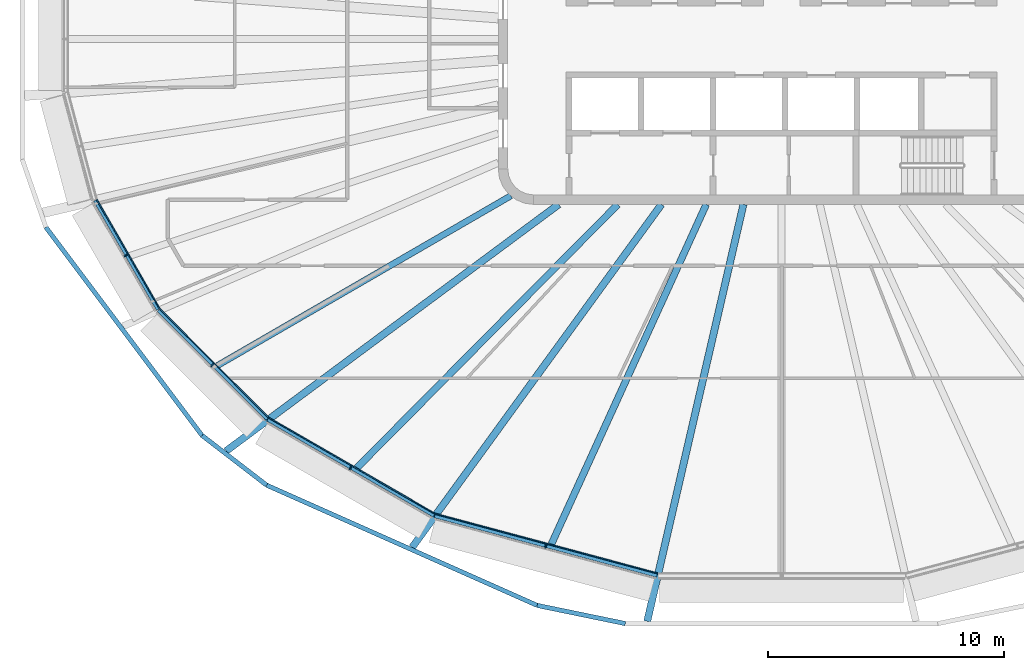
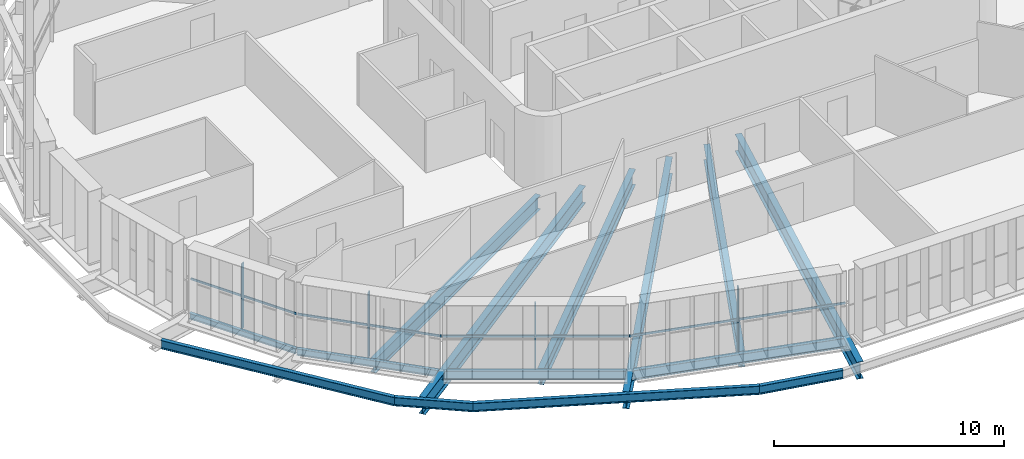
# One storey, part 1 of 20: 14 beams, 8 members, 4 elements without a shape of their own.
"""IFC4 building model written with IfcOpenShell, lengths in metres."""

from ifc_helpers import new_model, si_unit, direction, frame, origin, origin_2d, place, context, subcontext, project, spatial, rectangle, i_section, extrude, material, layer, layer_set, material_profile, profile_set, type_object, element, aggregate, save


model = new_model("IFC4")

# Units and contexts
model_context = context("Model", 3, precision=1e-05, world=origin(), true_north=direction((0.0, 1.0)))
body_context = subcontext(model_context, "Body", "Model", "MODEL_VIEW")
ifc_project = project(units=[si_unit("LENGTHUNIT", "METRE"), si_unit("AREAUNIT", "SQUARE_METRE"), si_unit("VOLUMEUNIT", "CUBIC_METRE"), si_unit("PLANEANGLEUNIT", "RADIAN"), si_unit("MASSUNIT", "GRAM", prefix="KILO")], contexts=[model_context])

# Site, building, storey
site_placement = place(None, origin())
site = spatial("IfcSite", under=ifc_project, at=site_placement, CompositionType="ELEMENT")
building_placement = place(site_placement, origin())
building = spatial("IfcBuilding", under=site, at=building_placement, Name="Sahrelin Media Tower", CompositionType="ELEMENT")
storey_placement = place(building_placement, frame((0.0, 0.0, 237.60009765625)))
storey = spatial("IfcBuildingStorey", under=building, at=storey_placement, Name="L51", CompositionType="ELEMENT", Elevation=237.60009765625)

# Beams
ifc_material_1 = material(Name="Steel S355", Category="steel")
ifc_material_profile_1 = material_profile(ifc_material_1, i_section(OverallWidth=0.1650390625, OverallDepth=0.303466796875, WebThickness=0.006103515625, FlangeThickness=0.01025390625, FilletRadius=0.0087890625, at=origin_2d()), Name="UB 305x165x40")
ifc_profile_set_1 = profile_set([ifc_material_profile_1], Name="Steel S355")
beam_type_1 = type_object("IfcBeamType", Name="Edge beam EB2", PredefinedType="BEAM", material=ifc_profile_set_1)
beam_1_placement = place(storey_placement, frame((-26.399169921875, -11.453369140625, -0.3017578125), z_axis=(-0.500034814518, 0.86600530268, 0.0), x_axis=(-0.86600530268, -0.500034814518, 0.0)))
element("IfcBeam", 1, at=beam_1_placement, inside=storey, type_object=beam_type_1, Name="Edge beam L51-11", PredefinedType="BEAM", context=body_context, shape_type="SweptSolid", body=[
    extrude(i_section(OverallWidth=0.1650390625, OverallDepth=0.303466796875, WebThickness=0.006103515625, FlangeThickness=0.01025390625, FilletRadius=0.0087890625, at=origin_2d()), origin(), (0.0, 0.0, 1.0), 5.3447265625),
])
ifc_material_profile_2 = material_profile(ifc_material_1, i_section(OverallWidth=0.17138671875, OverallDepth=0.35498046875, WebThickness=0.00732421875, FlangeThickness=0.011474609375, FilletRadius=0.01025390625, at=origin_2d()), Name="UB 356x171x51")
ifc_profile_set_2 = profile_set([ifc_material_profile_2], Name="Steel S355")
beam_type_2 = type_object("IfcBeamType", Name="Edge beam EB3", PredefinedType="BEAM", material=ifc_profile_set_2)
beam_2_placement = place(storey_placement, frame((-21.779296875, -16.07861328125, -0.32763671875), z_axis=(-0.707106781187, 0.707106781187, 0.0), x_axis=(-0.707106781187, -0.707106781187, 0.0)))
element("IfcBeam", 2, at=beam_2_placement, inside=storey, type_object=beam_type_2, Name="Edge beam L51-10", PredefinedType="BEAM", context=body_context, shape_type="SweptSolid", body=[
    extrude(i_section(OverallWidth=0.17138671875, OverallDepth=0.35498046875, WebThickness=0.00732421875, FlangeThickness=0.011474609375, FilletRadius=0.01025390625, at=origin_2d()), origin(), (0.0, 0.0, 1.0), 6.508544921875),
])
ifc_material_profile_3 = material_profile(ifc_material_1, i_section(OverallWidth=0.1904296875, OverallDepth=0.45703125, WebThickness=0.009033203125, FlangeThickness=0.014404296875, FilletRadius=0.01025390625, at=origin_2d()), Name="UB 457x191x74")
ifc_profile_set_3 = profile_set([ifc_material_profile_3], Name="Steel S355")
beam_type_3 = type_object("IfcBeamType", Name="Edge beam EB5", PredefinedType="BEAM", material=ifc_profile_set_3)
beam_3_placement = place(storey_placement, frame((-14.716796875, -20.160400390625, -0.378662109375), z_axis=(-0.866024038412, 0.500002364886, 0.0), x_axis=(-0.500002364886, -0.866024038412, 0.0)))
element("IfcBeam", 3, at=beam_3_placement, inside=storey, type_object=beam_type_3, Name="Edge beam L51-09", PredefinedType="BEAM", context=body_context, shape_type="SweptSolid", body=[
    extrude(i_section(OverallWidth=0.1904296875, OverallDepth=0.45703125, WebThickness=0.009033203125, FlangeThickness=0.014404296875, FilletRadius=0.01025390625, at=origin_2d()), origin(), (0.0, 0.0, 1.0), 8.12890625),
])
ifc_material_profile_4 = material_profile(ifc_material_1, i_section(OverallWidth=0.208740234375, OverallDepth=0.5283203125, WebThickness=0.009521484375, FlangeThickness=0.01318359375, FilletRadius=0.0126953125, at=origin_2d()), Name="UB 533x210x82")
ifc_profile_set_4 = profile_set([ifc_material_profile_4], Name="Steel S355")
beam_type_4 = type_object("IfcBeamType", Name="Edge beam EB6", PredefinedType="BEAM", material=ifc_profile_set_4)
beam_4_placement = place(storey_placement, frame((-5.267578125, -22.6962890625, -0.414306640625), z_axis=(-0.965922692081, 0.258830741845, 0.0), x_axis=(-0.258830741845, -0.965922692081, 0.0)))
element("IfcBeam", 4, at=beam_4_placement, inside=storey, type_object=beam_type_4, Name="Edge beam L51-08", PredefinedType="BEAM", context=body_context, shape_type="SweptSolid", body=[
    extrude(i_section(OverallWidth=0.208740234375, OverallDepth=0.5283203125, WebThickness=0.009521484375, FlangeThickness=0.01318359375, FilletRadius=0.0126953125, at=origin_2d()), origin(), (0.0, 0.0, 1.0), 9.755126953125),
])

# Curtain wall, member
ifc_material_2 = material(Name="Champagne anodised aluminium 6063-T6", Category="aluminium")
ifc_layer = layer(ifc_material_2, 0.14990234375)
ifc_layer_set = layer_set([ifc_layer], Name="Tower ribbon curtain wall")
curtain_wall_type = type_object("IfcCurtainWallType", Name="Tower ribbon curtain wall", PredefinedType="NOTDEFINED", material=ifc_layer_set)
curtain_wall_1_placement = place(storey_placement, frame((-27.865234375, -9.214111328125, 0.0), z_axis=(0.0, 0.0, 1.0), x_axis=(1.0, 0.0, 0.0)))
curtain_wall_1 = element("IfcCurtainWall", 5, at=curtain_wall_1_placement, inside=storey, type_object=curtain_wall_type, Name="L51:CW:L51-14", PredefinedType="NOTDEFINED")
ifc_material_profile_5 = material_profile(ifc_material_2, rectangle(XDim=0.06005859375, YDim=0.175048828125, at=origin_2d()), Name="Mullion 60x175")
ifc_profile_set_5 = profile_set([ifc_material_profile_5], Name="Champagne anodised aluminium 6063-T6")
member_type_1 = type_object("IfcMemberType", Name="Mullion 60x175 CW1B", PredefinedType="MULLION", material=ifc_profile_set_5)
member_1_placement = place(storey_placement, frame((-27.772216796875, -9.16015625, 0.0), z_axis=(0.0, 0.0, 1.0), x_axis=(0.500009068969, -0.866020167749, 0.0)))
member_1 = element("IfcMember", 6, at=member_1_placement, type_object=member_type_1, Name="L51:CWM:L51-14", PredefinedType="MULLION", context=body_context, shape_type="SweptSolid", body=[
    extrude(rectangle(XDim=0.06005859375, YDim=0.175048828125, at=origin_2d()), origin(), (0.0, 0.0, 1.0), 3.448486328125),
])

curtain_wall_2_placement = place(storey_placement, frame((-24.1865234375, -13.88330078125, 0.0), z_axis=(0.0, 0.0, 1.0), x_axis=(1.0, 0.0, 0.0)))
curtain_wall_2 = element("IfcCurtainWall", 7, at=curtain_wall_2_placement, inside=storey, type_object=curtain_wall_type, Name="L51:CW:L51-15", PredefinedType="NOTDEFINED")
member_2_placement = place(storey_placement, frame((-24.110595703125, -13.807373046875, 0.0), z_axis=(0.0, 0.0, 1.0), x_axis=(0.707106781187, -0.707106781187, 0.0)))
member_2 = element("IfcMember", 8, at=member_2_placement, type_object=member_type_1, Name="L51:CWM:L51-15", PredefinedType="MULLION", context=body_context, shape_type="SweptSolid", body=[
    extrude(rectangle(XDim=0.06005859375, YDim=0.175048828125, at=origin_2d()), origin(), (0.0, 0.0, 1.0), 3.448486328125),
])

curtain_wall_3_placement = place(storey_placement, frame((-18.3115234375, -18.25830078125, 0.0), z_axis=(0.0, 0.0, 1.0), x_axis=(1.0, 0.0, 0.0)))
curtain_wall_3 = element("IfcCurtainWall", 9, at=curtain_wall_3_placement, inside=storey, type_object=curtain_wall_type, Name="L51:CW:L51-16", PredefinedType="NOTDEFINED")
member_3_placement = place(storey_placement, frame((-18.2578125, -18.1650390625, 0.0), z_axis=(0.0, 0.0, 1.0), x_axis=(0.866027149108, -0.499996976998, 0.0)))
member_3 = element("IfcMember", 10, at=member_3_placement, type_object=member_type_1, Name="L51:CWM:L51-16", PredefinedType="MULLION", context=body_context, shape_type="SweptSolid", body=[
    extrude(rectangle(XDim=0.06005859375, YDim=0.175048828125, at=origin_2d()), origin(), (0.0, 0.0, 1.0), 3.448486328125),
])

curtain_wall_4_placement = place(storey_placement, frame((-10.017578125, -21.578857421875, 0.0), z_axis=(0.0, 0.0, 1.0), x_axis=(1.0, 0.0, 0.0)))
curtain_wall_4 = element("IfcCurtainWall", 11, at=curtain_wall_4_placement, inside=storey, type_object=curtain_wall_type, Name="L51:CW:L51-17", PredefinedType="NOTDEFINED")
member_4_placement = place(storey_placement, frame((-9.98974609375, -21.474853515625, 0.0), z_axis=(0.0, 0.0, 1.0), x_axis=(0.965925374563, -0.258820730961, 0.0)))
member_4 = element("IfcMember", 12, at=member_4_placement, type_object=member_type_1, Name="L51:CWM:L51-17", PredefinedType="MULLION", context=body_context, shape_type="SweptSolid", body=[
    extrude(rectangle(XDim=0.06005859375, YDim=0.175048828125, at=origin_2d()), origin(), (0.0, 0.0, 1.0), 3.448486328125),
])

# Beams
ifc_material_profile_6 = material_profile(ifc_material_1, i_section(OverallWidth=0.30322265625, OverallDepth=0.903076171875, WebThickness=0.01513671875, FlangeThickness=0.020263671875, FilletRadius=0.01904296875, at=origin_2d()), Name="UB 914x305x201")
ifc_profile_set_6 = profile_set([ifc_material_profile_6], Name="Steel S355")
beam_type_5 = type_object("IfcBeamType", Name="Radial primary beam PB11", PredefinedType="BEAM", material=ifc_profile_set_6)
beam_5_placement = place(storey_placement, frame((-9.441162109375, -7.0, -0.6015625), z_axis=(-0.803289615058, -0.59558861166, 0.0), x_axis=(0.59558861166, -0.803289615058, 0.0)))
element("IfcBeam", 13, at=beam_5_placement, inside=storey, type_object=beam_type_5, Name="Radial beam L51-16", PredefinedType="BEAM", context=body_context, shape_type="SweptSolid", body=[
    extrude(i_section(OverallWidth=0.30322265625, OverallDepth=0.903076171875, WebThickness=0.01513671875, FlangeThickness=0.020263671875, FilletRadius=0.01904296875, at=origin_2d()), origin(), (0.0, 0.0, 1.0), 17.542236328125),
])
beam_6_placement = place(storey_placement, frame((-5.08837890625, -7.0, -0.6015625), z_axis=(-0.587988206602, -0.808869500536, 0.0), x_axis=(0.808869500536, -0.587988206602, 0.0)))
element("IfcBeam", 14, at=beam_6_placement, inside=storey, type_object=beam_type_5, Name="Radial beam L51-17", PredefinedType="BEAM", context=body_context, shape_type="SweptSolid", body=[
    extrude(i_section(OverallWidth=0.30322265625, OverallDepth=0.903076171875, WebThickness=0.01513671875, FlangeThickness=0.020263671875, FilletRadius=0.01904296875, at=origin_2d()), origin(), (0.0, 0.0, 1.0), 17.9599609375),
])
beam_7_placement = place(storey_placement, frame((-1.615478515625, -7.0, -0.6015625), z_axis=(-0.224867376776, -0.97438937949, 0.0), x_axis=(0.97438937949, -0.224867376776, 0.0)))
element("IfcBeam", 15, at=beam_7_placement, inside=storey, type_object=beam_type_5, Name="Radial beam L51-18", PredefinedType="BEAM", context=body_context, shape_type="SweptSolid", body=[
    extrude(i_section(OverallWidth=0.30322265625, OverallDepth=0.903076171875, WebThickness=0.01513671875, FlangeThickness=0.020263671875, FilletRadius=0.01904296875, at=origin_2d()), origin(), (0.0, 0.0, 1.0), 18.124755859375),
])
ifc_material_profile_7 = material_profile(ifc_material_1, i_section(OverallWidth=0.291748046875, OverallDepth=0.8349609375, WebThickness=0.013916015625, FlangeThickness=0.018798828125, FilletRadius=0.017822265625, at=origin_2d()), Name="UB 838x292x176")
ifc_profile_set_7 = profile_set([ifc_material_profile_7], Name="Steel S355")
beam_type_6 = type_object("IfcBeamType", Name="Radial secondary beam SB10", PredefinedType="BEAM", material=ifc_profile_set_7)
beam_8_placement = place(storey_placement, frame((-6.934326171875, -7.0, -0.567626953125), z_axis=(-0.70375757682, -0.710440196687, 0.0), x_axis=(0.710440196687, -0.70375757682, 0.0)))
element("IfcBeam", 16, at=beam_8_placement, inside=storey, type_object=beam_type_6, Name="Secondary beam L51-16", PredefinedType="BEAM", context=body_context, shape_type="SweptSolid", body=[
    extrude(i_section(OverallWidth=0.291748046875, OverallDepth=0.8349609375, WebThickness=0.013916015625, FlangeThickness=0.018798828125, FilletRadius=0.017822265625, at=origin_2d()), origin(), (0.0, 0.0, 1.0), 15.70947265625),
])
beam_9_placement = place(storey_placement, frame((-3.19091796875, -7.0, -0.567626953125), z_axis=(-0.414752003644, -0.90993448966, 0.0), x_axis=(0.90993448966, -0.414752003644, 0.0)))
element("IfcBeam", 17, at=beam_9_placement, inside=storey, type_object=beam_type_6, Name="Secondary beam L51-17", PredefinedType="BEAM", context=body_context, shape_type="SweptSolid", body=[
    extrude(i_section(OverallWidth=0.291748046875, OverallDepth=0.8349609375, WebThickness=0.013916015625, FlangeThickness=0.018798828125, FilletRadius=0.017822265625, at=origin_2d()), origin(), (0.0, 0.0, 1.0), 15.8115234375),
])
ifc_material_profile_8 = material_profile(ifc_material_1, i_section(OverallWidth=0.26513671875, OverallDepth=0.75390625, WebThickness=0.0126953125, FlangeThickness=0.017578125, FilletRadius=0.0166015625, at=origin_2d()), Name="UB 762x267x147")
ifc_profile_set_8 = profile_set([ifc_material_profile_8], Name="Steel S355")
beam_type_7 = type_object("IfcBeamType", Name="Radial secondary beam SB9", PredefinedType="BEAM", material=ifc_profile_set_8)
beam_10_placement = place(storey_placement, frame((-11.465087890625, -6.634033203125, -0.527099609375), z_axis=(-0.865540628134, -0.500838717602, 0.0), x_axis=(0.500838717602, -0.865540628134, 0.0)))
element("IfcBeam", 18, at=beam_10_placement, inside=storey, type_object=beam_type_7, Name="Secondary beam L51-15", PredefinedType="BEAM", context=body_context, shape_type="SweptSolid", body=[
    extrude(i_section(OverallWidth=0.26513671875, OverallDepth=0.75390625, WebThickness=0.0126953125, FlangeThickness=0.017578125, FilletRadius=0.0166015625, at=origin_2d()), origin(), (0.0, 0.0, 1.0), 14.371826171875),
])
ifc_material_profile_9 = material_profile(ifc_material_1, i_section(OverallWidth=0.1904296875, OverallDepth=0.45703125, WebThickness=0.009033203125, FlangeThickness=0.014404296875, FilletRadius=0.01025390625, at=origin_2d()), Name="UB 457x191x74")
ifc_profile_set_9 = profile_set([ifc_material_profile_9], Name="Steel S355")
beam_type_8 = type_object("IfcBeamType", Name="Tie chord TC5", PredefinedType="BEAM", material=ifc_profile_set_9)
beam_11_placement = place(storey_placement, frame((-31.162353515625, -7.96728515625, -0.378662109375), z_axis=(0.600053135992, -0.799960145249, 0.0), x_axis=(0.799960145249, 0.600053135992, 0.0)))
element("IfcBeam", 19, at=beam_11_placement, inside=storey, type_object=beam_type_8, Name="Tie chord L51-14", PredefinedType="BEAM", context=body_context, shape_type="SweptSolid", body=[
    extrude(i_section(OverallWidth=0.1904296875, OverallDepth=0.45703125, WebThickness=0.009033203125, FlangeThickness=0.014404296875, FilletRadius=0.01025390625, at=origin_2d()), origin(), (0.0, 0.0, 1.0), 11.02685546875),
])
beam_12_placement = place(storey_placement, frame((-24.545654296875, -16.788330078125, -0.378662109375), z_axis=(0.79244769643, -0.609939872793, 0.0), x_axis=(0.609939872793, 0.79244769643, 0.0)))
element("IfcBeam", 20, at=beam_12_placement, inside=storey, type_object=beam_type_8, Name="Tie chord L51-15", PredefinedType="BEAM", context=body_context, shape_type="SweptSolid", body=[
    extrude(i_section(OverallWidth=0.1904296875, OverallDepth=0.45703125, WebThickness=0.009033203125, FlangeThickness=0.014404296875, FilletRadius=0.01025390625, at=origin_2d()), origin(), (0.0, 0.0, 1.0), 3.449951171875),
])
beam_13_placement = place(storey_placement, frame((-21.811767578125, -18.892578125, -0.378662109375), z_axis=(0.913826800586, -0.406104147395, 0.0), x_axis=(0.406104147395, 0.913826800586, 0.0)))
element("IfcBeam", 21, at=beam_13_placement, inside=storey, type_object=beam_type_8, Name="Tie chord L51-16", PredefinedType="BEAM", context=body_context, shape_type="SweptSolid", body=[
    extrude(i_section(OverallWidth=0.1904296875, OverallDepth=0.45703125, WebThickness=0.009033203125, FlangeThickness=0.014404296875, FilletRadius=0.01025390625, at=origin_2d()), origin(), (0.0, 0.0, 1.0), 12.541259765625),
])
beam_14_placement = place(storey_placement, frame((-10.351318359375, -23.985595703125, -0.378662109375), z_axis=(0.979385944279, -0.201997950853, 0.0), x_axis=(0.201997950853, 0.979385944279, 0.0)))
element("IfcBeam", 22, at=beam_14_placement, inside=storey, type_object=beam_type_8, Name="Tie chord L51-17", PredefinedType="BEAM", context=body_context, shape_type="SweptSolid", body=[
    extrude(i_section(OverallWidth=0.1904296875, OverallDepth=0.45703125, WebThickness=0.009033203125, FlangeThickness=0.014404296875, FilletRadius=0.01025390625, at=origin_2d()), origin(), (0.0, 0.0, 1.0), 3.813232421875),
])

# Member
ifc_material_profile_10 = material_profile(ifc_material_2, rectangle(XDim=0.050048828125, YDim=0.110107421875, at=origin_2d()), Name="Transom 50x110")
ifc_profile_set_10 = profile_set([ifc_material_profile_10], Name="Champagne anodised aluminium 6063-T6")
member_type_2 = type_object("IfcMemberType", Name="Transom 50x110 CW1B", PredefinedType="USERDEFINED", material=ifc_profile_set_10)
member_5_placement = place(storey_placement, frame((-29.003173828125, -6.80322265625, 1.599853515625), z_axis=(0.500003519352, -0.866023371876, 0.0), x_axis=(0.866023371876, 0.500003519352, 0.0)))
member_5 = element("IfcMember", 23, at=member_5_placement, type_object=member_type_2, Name="L51:CWT:L51-14", ObjectType="TRANSOM", PredefinedType="USERDEFINED", context=body_context, shape_type="SweptSolid", body=[
    extrude(rectangle(XDim=0.050048828125, YDim=0.110107421875, at=origin_2d()), origin(), (0.0, 0.0, 1.0), 5.3134765625),
])

aggregate(curtain_wall_1, [member_1, member_5])

member_6_placement = place(storey_placement, frame((-26.321044921875, -11.43798828125, 1.599853515625), z_axis=(0.707125627567, -0.707087934304, 0.0), x_axis=(0.707087934304, 0.707125627567, 0.0)))
member_6 = element("IfcMember", 24, at=member_6_placement, type_object=member_type_2, Name="L51:CWT:L51-15", ObjectType="TRANSOM", PredefinedType="USERDEFINED", context=body_context, shape_type="SweptSolid", body=[
    extrude(rectangle(XDim=0.050048828125, YDim=0.110107421875, at=origin_2d()), origin(), (0.0, 0.0, 1.0), 6.47705078125),
])

aggregate(curtain_wall_2, [member_2, member_6])

member_7_placement = place(storey_placement, frame((-21.7080078125, -16.043212890625, 1.599853515625), z_axis=(0.866022911947, -0.500004315964, 0.0), x_axis=(0.500004315964, 0.866022911947, 0.0)))
member_7 = element("IfcMember", 25, at=member_7_placement, type_object=member_type_2, Name="L51:CWT:L51-16", ObjectType="TRANSOM", PredefinedType="USERDEFINED", context=body_context, shape_type="SweptSolid", body=[
    extrude(rectangle(XDim=0.050048828125, YDim=0.110107421875, at=origin_2d()), origin(), (0.0, 0.0, 1.0), 8.09765625),
])

aggregate(curtain_wall_3, [member_3, member_7])

member_8_placement = place(storey_placement, frame((-14.65673828125, -20.10791015625, 1.599853515625), z_axis=(0.965925860392, -0.25881891783, 0.0), x_axis=(0.25881891783, 0.965925860392, 0.0)))
member_8 = element("IfcMember", 26, at=member_8_placement, type_object=member_type_2, Name="L51:CWT:L51-17", ObjectType="TRANSOM", PredefinedType="USERDEFINED", context=body_context, shape_type="SweptSolid", body=[
    extrude(rectangle(XDim=0.050048828125, YDim=0.110107421875, at=origin_2d()), origin(), (0.0, 0.0, 1.0), 9.723388671875),
])

aggregate(curtain_wall_4, [member_4, member_8])

save(model, "model.ifc")
